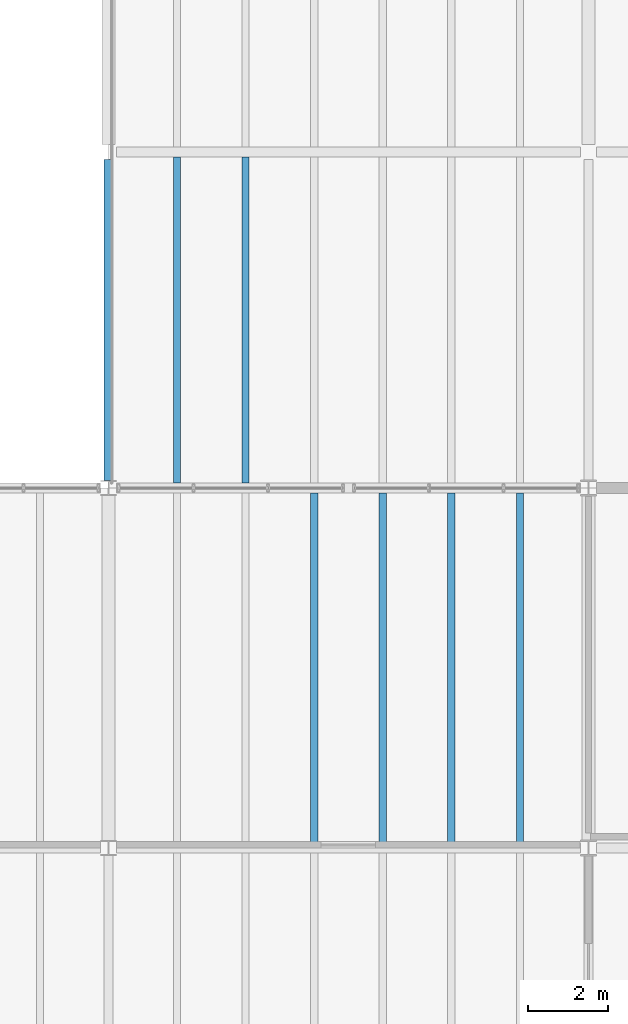
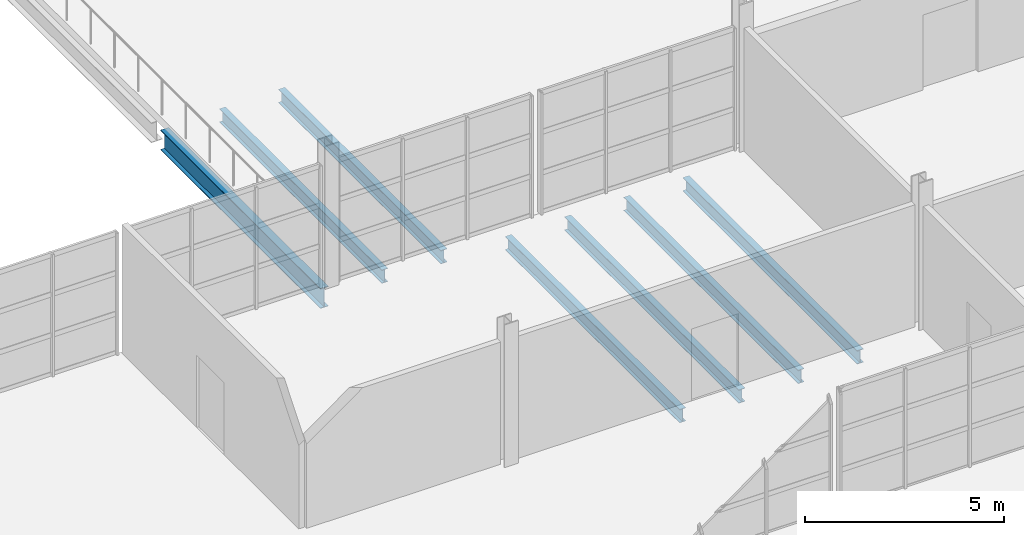
# One storey, part 32 of 78: 7 beams.
"""IFC4 building model written with IfcOpenShell, lengths in metres."""

from ifc_helpers import new_model, si_unit, direction, frame, origin, origin_2d, place, context, subcontext, project, spatial, i_section, extrude, material, material_profile, profile_set, type_object, element, save


model = new_model("IFC4")

# Units and contexts
model_context = context("Model", 3, precision=1e-05, world=origin(), true_north=direction((0.0, 1.0)))
body_context = subcontext(model_context, "Body", "Model", "MODEL_VIEW")
ifc_project = project(units=[si_unit("LENGTHUNIT", "METRE"), si_unit("AREAUNIT", "SQUARE_METRE"), si_unit("VOLUMEUNIT", "CUBIC_METRE"), si_unit("PLANEANGLEUNIT", "RADIAN"), si_unit("MASSUNIT", "GRAM", prefix="KILO")], contexts=[model_context])

# Site, building, storey
site_placement = place(None, origin())
site = spatial("IfcSite", under=ifc_project, at=site_placement, CompositionType="ELEMENT")
building_placement = place(site_placement, origin())
building = spatial("IfcBuilding", under=site, at=building_placement, Name="Kelmvaro Bay Concert Hall", CompositionType="ELEMENT")
storey_placement = place(building_placement, frame((0.0, 0.0, 9.300048828125)))
storey = spatial("IfcBuildingStorey", under=building, at=storey_placement, Name="L02", CompositionType="ELEMENT", Elevation=9.300048828125)

# Beams
ifc_material_1 = material(Name="Steel ASTM A992 Grade 50", Category="steel")
ifc_material_profile_1 = material_profile(ifc_material_1, i_section(OverallWidth=0.179931640625, OverallDepth=0.4140625, WebThickness=0.009765625, FlangeThickness=0.01611328125, at=origin_2d()), Name="W16X50")
ifc_profile_set_1 = profile_set([ifc_material_profile_1], Name="Steel ASTM A992 Grade 50")
beam_type_1 = type_object("IfcBeamType", Name="Terrace Composite Joist W16x50", PredefinedType="JOIST", material=ifc_profile_set_1)
for number, where, z_axis, x_axis, name in (
    (1, (113.142822265625, 30.1279296875, -0.45703125), (0.0, 1.0, 0.0), (-1.0, 0.0, 0.0), "L02 Floor Joist JST-L02-1068"),
    (2, (114.857177734375, 30.1279296875, -0.45703125), (0.0, 1.0, 0.0), (-1.0, 0.0, 0.0), "L02 Floor Joist JST-L02-1069"),
    (3, (116.5712890625, 30.1279296875, -0.45703125), (0.0, 1.0, 0.0), (-1.0, 0.0, 0.0), "L02 Floor Joist JST-L02-1070"),
    (4, (118.28564453125, 30.1279296875, -0.45703125), (0.0, 1.0, 0.0), (-1.0, 0.0, 0.0), "L02 Floor Joist JST-L02-1071"),
):
    element("IfcBeam", number, at=place(storey_placement, frame(where, z_axis=z_axis, x_axis=x_axis)), inside=storey, type_object=beam_type_1, Name=name, PredefinedType="JOIST", context=body_context, shape_type="SweptSolid", body=[
        extrude(i_section(OverallWidth=0.179931640625, OverallDepth=0.4140625, WebThickness=0.009765625, FlangeThickness=0.01611328125, at=origin_2d()), origin(), (0.0, 0.0, 1.0), 8.744140625),
    ])
for number, where, z_axis, x_axis, name in (
    (5, (109.71435546875, 39.1279296875, -0.447021484375), (0.0, 1.0, 0.0), (-1.0, 0.0, 0.0), "L02 Floor Joist JST-L02-1126"),
    (6, (111.4287109375, 39.1279296875, -0.447021484375), (0.0, 1.0, 0.0), (-1.0, 0.0, 0.0), "L02 Floor Joist JST-L02-1127"),
):
    element("IfcBeam", number, at=place(storey_placement, frame(where, z_axis=z_axis, x_axis=x_axis)), inside=storey, type_object=beam_type_1, Name=name, PredefinedType="JOIST", context=body_context, shape_type="SweptSolid", body=[
        extrude(i_section(OverallWidth=0.179931640625, OverallDepth=0.4140625, WebThickness=0.009765625, FlangeThickness=0.01611328125, at=origin_2d()), origin(), (0.0, 0.0, 1.0), 8.14404296875),
    ])
ifc_material_2 = material(Name="Steel ASTM A992 Grade 50", Category="steel")
ifc_material_profile_2 = material_profile(ifc_material_2, i_section(OverallWidth=0.22900390625, OverallDepth=0.612060546875, WebThickness=0.011962890625, FlangeThickness=0.01953125, at=origin_2d()), Name="W24X84")
ifc_profile_set_2 = profile_set([ifc_material_profile_2], Name="Steel ASTM A992 Grade 50")
beam_type_2 = type_object("IfcBeamType", Name="Terrace Edge Girder W24x84", PredefinedType="BEAM", material=ifc_profile_set_2)
beam_placement = place(storey_placement, frame((108.0, 39.1904296875, -0.546142578125), z_axis=(0.0, 1.0, 0.0), x_axis=(-1.0, 0.0, 0.0)))
element("IfcBeam", 7, at=beam_placement, inside=storey, type_object=beam_type_2, Name="L02 Girder BM-L02-NS-0853", PredefinedType="BEAM", context=body_context, shape_type="SweptSolid", body=[
    extrude(i_section(OverallWidth=0.22900390625, OverallDepth=0.612060546875, WebThickness=0.011962890625, FlangeThickness=0.01953125, at=origin_2d()), origin(), (0.0, 0.0, 1.0), 8.01904296875),
])

save(model, "model.ifc")
